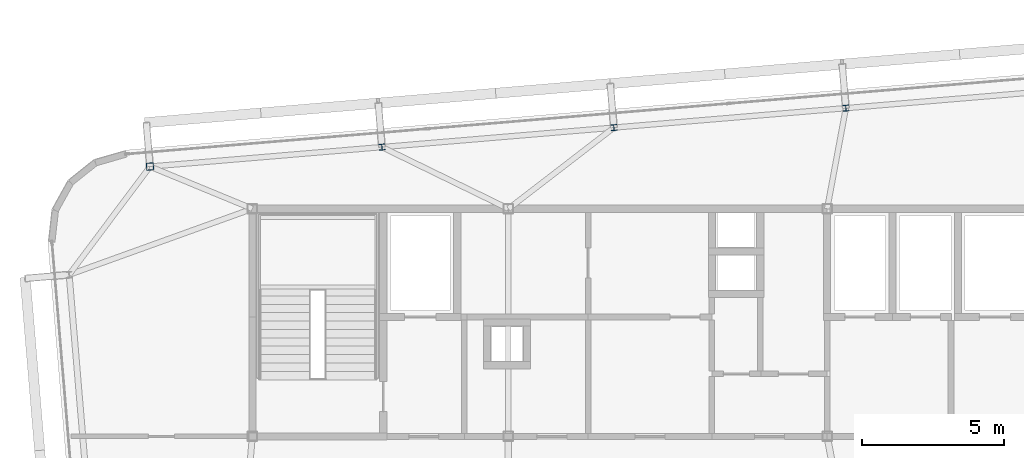
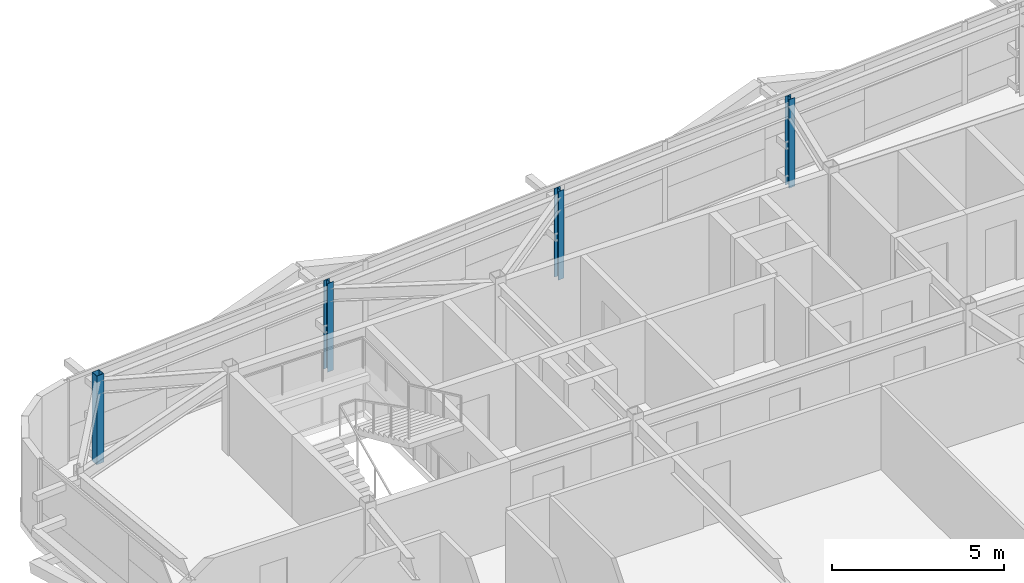
# One storey, part 5 of 39: 4 columns.
"""IFC4 building model written with IfcOpenShell, lengths in metres."""

from ifc_helpers import new_model, si_unit, direction, frame, origin, origin_2d, place, context, subcontext, project, spatial, hollow_rectangle, i_section, extrude, source, transform, mapped, material, material_profile, profile_set, type_object, element, save


model = new_model("IFC4")

# Units and contexts
model_context = context("Model", 3, precision=1e-05, world=origin(), true_north=direction((0.0, 1.0)))
body_context = subcontext(model_context, "Body", "Model", "MODEL_VIEW")
ifc_project = project(units=[si_unit("LENGTHUNIT", "METRE"), si_unit("AREAUNIT", "SQUARE_METRE"), si_unit("VOLUMEUNIT", "CUBIC_METRE"), si_unit("PLANEANGLEUNIT", "RADIAN"), si_unit("MASSUNIT", "GRAM", prefix="KILO")], contexts=[model_context])

# Site, building, storey
site_placement = place(None, origin())
site = spatial("IfcSite", under=ifc_project, at=site_placement, CompositionType="ELEMENT")
building_placement = place(site_placement, origin())
building = spatial("IfcBuilding", under=site, at=building_placement, Name="Taldren Reach Tower", CompositionType="ELEMENT")
storey_placement = place(building_placement, frame((0.0, 0.0, 197.75)))
storey = spatial("IfcBuildingStorey", under=building, at=storey_placement, Name="L60", CompositionType="ELEMENT", Elevation=197.75)

# Columns
ifc_material_1 = material(Name="Steel Gr 350 (C350L0)", Category="steel")
ifc_material_profile_1 = material_profile(ifc_material_1, hollow_rectangle(XDim=0.25, YDim=0.25, WallThickness=0.010009765625, at=origin_2d()), Name="250x250x10.0SHS")
ifc_profile_set_1 = profile_set([ifc_material_profile_1], Name="Steel Gr 350 (C350L0)")
column_type_1 = type_object("IfcColumnType", Name="COL-SHS250", PredefinedType="COLUMN", material=ifc_profile_set_1)
shared_shape_1 = source(origin(), body_context, "Body", "SweptSolid", [
    extrude(hollow_rectangle(XDim=0.25, YDim=0.25, WallThickness=0.010009765625, at=origin_2d()), origin(), (0.0, 0.0, 1.0), 3.14990234375),
])
column_placement = place(storey_placement, frame((15.40380859375, 33.483642578125, 0.0), z_axis=(0.0, 0.0, 1.0), x_axis=(0.99649285925, 0.083677843332, 0.0)))
element("IfcColumn", 1, at=column_placement, inside=storey, type_object=column_type_1, Name="Block B4 perimeter column N1 L60", PredefinedType="COLUMN", context=body_context, shape_type="MappedRepresentation", body=[
    mapped(shared_shape_1, transform((0.0, 0.0, 0.0), scale=1.0)),
])
ifc_material_2 = material(Name="Steel Gr 350 (350PLUS)", Category="steel")
ifc_material_profile_2 = material_profile(ifc_material_2, i_section(OverallWidth=0.205078125, OverallDepth=0.2099609375, WebThickness=0.00927734375, FlangeThickness=0.01416015625, at=origin_2d()), Name="200UC59.5")
ifc_profile_set_2 = profile_set([ifc_material_profile_2], Name="Steel Gr 350 (350PLUS)")
column_type_2 = type_object("IfcColumnType", Name="COL-UC200", PredefinedType="COLUMN", material=ifc_profile_set_2)
shared_shape_2 = source(origin(), body_context, "Body", "SweptSolid", [
    extrude(i_section(OverallWidth=0.205078125, OverallDepth=0.2099609375, WebThickness=0.00927734375, FlangeThickness=0.01416015625, at=origin_2d()), origin(), (0.0, 0.0, 1.0), 3.14990234375),
])
for number, where, z_axis, x_axis, name in (
    (2, (23.55517578125, 34.16796875, 0.0), (0.0, 0.0, 1.0), (0.99649285925, 0.083677843332, 0.0), "Block B4 perimeter column N2 L60"),
    (3, (31.706298828125, 34.8525390625, 0.0), (0.0, 0.0, 1.0), (0.99649285925, 0.083677843332, 0.0), "Block B4 perimeter column N3 L60"),
    (4, (39.857666015625, 35.537109375, 0.0), (0.0, 0.0, 1.0), (0.99649285925, 0.083677843332, 0.0), "Block B4 perimeter column N4 L60"),
):
    element("IfcColumn", number, at=place(storey_placement, frame(where, z_axis=z_axis, x_axis=x_axis)), inside=storey, type_object=column_type_2, Name=name, PredefinedType="COLUMN", context=body_context, shape_type="MappedRepresentation", body=[
        mapped(shared_shape_2, transform((0.0, 0.0, 0.0), scale=1.0)),
    ])

save(model, "model.ifc")
